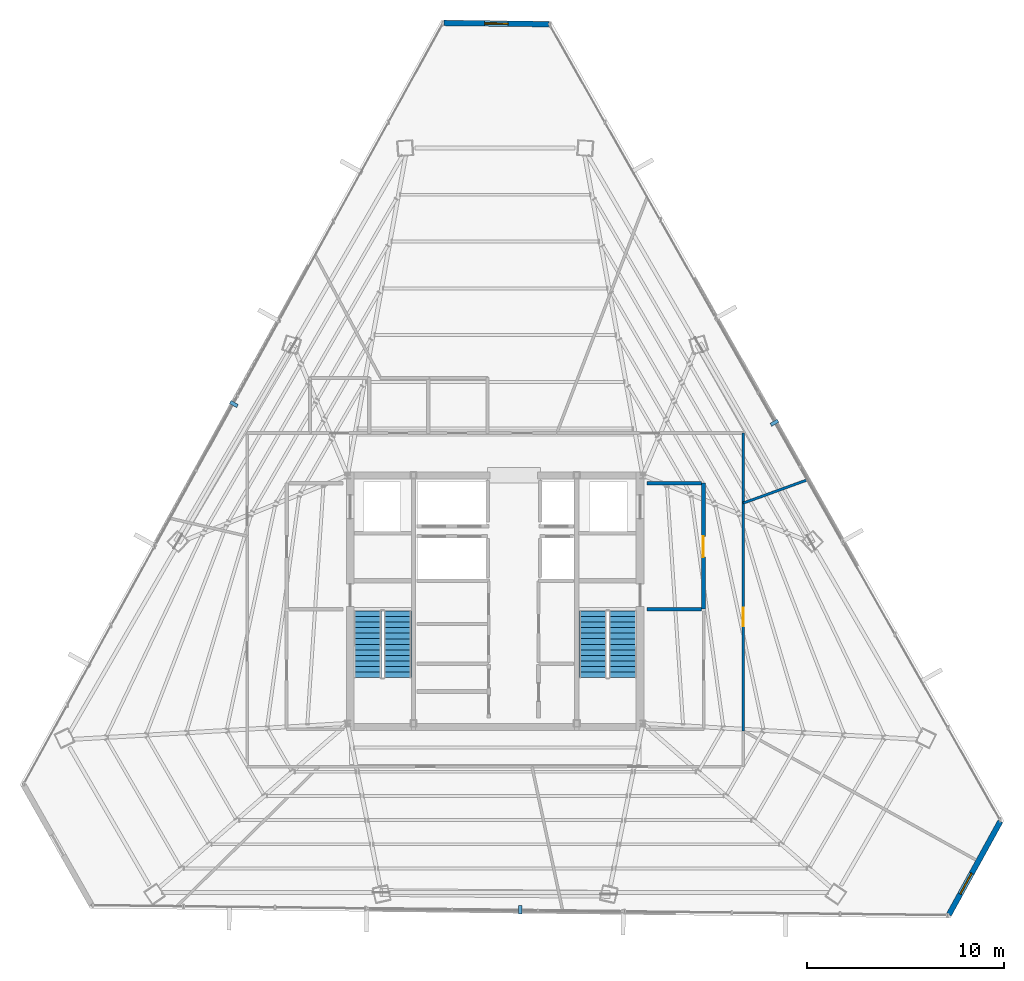
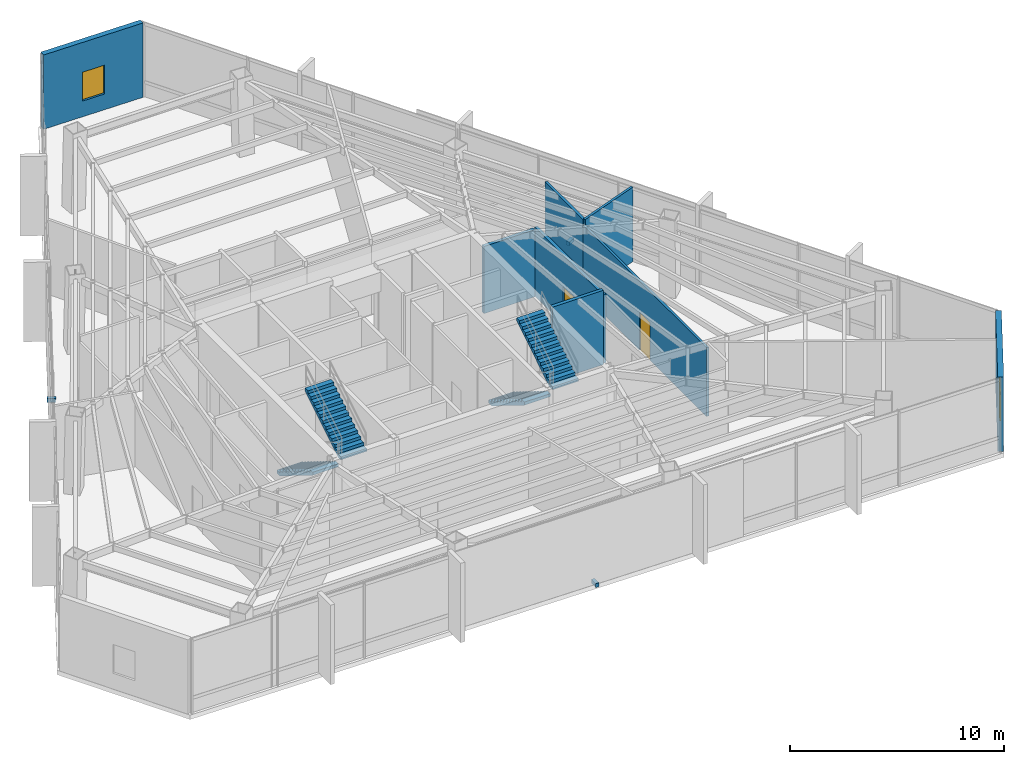
# One storey, part 35 of 37: 8 walls, 4 stair flights, 3 discrete accessories, 2 doors, 2 windows, 4 openings, 2 elements without a shape of their own.
"""IFC4 building model written with IfcOpenShell, lengths in metres."""

from ifc_helpers import new_model, si_unit, direction, frame, frame_2d, origin, origin_2d, place, context, subcontext, project, spatial, polyline, rectangle, outline, extrude, source, transform, mapped, material, layer, layer_set, type_object, type_shapes, element, fill, aggregate, save


model = new_model("IFC4")

# Units and contexts
model_context = context("Model", 3, precision=1e-05, world=origin(), true_north=direction((0.0, 1.0)))
body_context = subcontext(model_context, "Body", "Model", "MODEL_VIEW")
ifc_project = project(units=[si_unit("LENGTHUNIT", "METRE"), si_unit("AREAUNIT", "SQUARE_METRE"), si_unit("VOLUMEUNIT", "CUBIC_METRE"), si_unit("PLANEANGLEUNIT", "RADIAN"), si_unit("MASSUNIT", "GRAM", prefix="KILO")], contexts=[model_context])

# Site, building, storey
site_placement = place(None, origin())
site = spatial("IfcSite", under=ifc_project, at=site_placement, CompositionType="ELEMENT")
building_placement = place(site_placement, origin())
building = spatial("IfcBuilding", under=site, at=building_placement, Name="Caelisora Broadcast Tower", CompositionType="ELEMENT")
storey_placement = place(building_placement, frame((0.0, 0.0, 225.35009765625)))
storey = spatial("IfcBuildingStorey", under=building, at=storey_placement, Name="L59", CompositionType="ELEMENT", Elevation=225.35009765625)

# Wall, opening, window
ifc_material_1 = material(Name="Insulated Terracotta Spandrel Wall System", Category="masonry")
ifc_layer_1 = layer(ifc_material_1, 0.280029296875, Name="Insulated Terracotta Spandrel Wall System")
ifc_layer_set_1 = layer_set([ifc_layer_1], Name="Insulated Terracotta Spandrel Wall System")
wall_type_1 = type_object("IfcWallType", Name="EW1", PredefinedType="STANDARD", material=ifc_layer_set_1)
wall_1_placement = place(storey_placement, frame((63.658447265625, 12.4248046875, 0.0), z_axis=(0.0, 0.0, 1.0), x_axis=(-0.482785384163, -0.875738701233, 0.0)))
wall_1 = element("IfcWall", 1, at=wall_1_placement, inside=storey, type_object=wall_type_1, Name="L59 exterior envelope wall EW1", PredefinedType="STANDARD", context=body_context, shape_type="SweptSolid", body=[
    extrude(rectangle(XDim=5.41650390625, YDim=0.280029296875, at=frame_2d((2.708251953125, 0.0))), origin(), (0.0, 0.0, 1.0), 4.25),
])
opening_1_placement = place(wall_1_placement, frame((3.010009765625, 0.0, 0.89990234375)))
opening_1 = element("IfcOpeningElement", 2, at=opening_1_placement, cuts=wall_1, Name="Opening W03", PredefinedType="OPENING", context=body_context, shape_type="SweptSolid", body=[
    extrude(rectangle(XDim=1.199951171875, YDim=1.64990234375, at=frame_2d((0.60009765625, 0.824951171875))), frame((0.0, 0.152099609375, 0.0), z_axis=(0.0, -1.0, 0.0), x_axis=(1.0, 0.0, 0.0)), (0.0, 0.0, 1.0), 0.303955078125),
])
ifc_material_2 = material(Name="Double Glazed Corner Vision Window", Category="glass")
window_type = type_object("IfcWindowType", Name="W03", PartitioningType="SINGLE_PANEL", PredefinedType="WINDOW", material=ifc_material_2)
window_1_placement = place(opening_1_placement, origin())
window_1 = element("IfcWindow", 3, at=window_1_placement, inside=storey, type_object=window_type, Name="L59 window W03 (L59-WN-CH0)", OverallHeight=1.64990234375, OverallWidth=1.199951171875, PartitioningType="SINGLE_PANEL", PredefinedType="WINDOW", context=body_context, shape_type="SweptSolid", body=[
    extrude(rectangle(XDim=1.199951171875, YDim=1.64990234375, at=frame_2d((0.60009765625, 0.824951171875))), frame((0.0, 0.030029296875, 0.0), z_axis=(0.0, -1.0, 0.0), x_axis=(1.0, 0.0, 0.0)), (0.0, 0.0, 1.0), 0.06005859375),
])
fill(opening_1, window_1)

wall_2_placement = place(storey_placement, frame((35.389892578125, 52.978759765625, 0.0), z_axis=(0.0, 0.0, 1.0), x_axis=(0.999933438599, -0.011537693522, 0.0)))
wall_2 = element("IfcWall", 4, at=wall_2_placement, inside=storey, type_object=wall_type_1, Name="L59 exterior envelope wall EW1", PredefinedType="STANDARD", context=body_context, shape_type="SweptSolid", body=[
    extrude(rectangle(XDim=5.332275390625, YDim=0.280029296875, at=frame_2d((2.666015625, 0.0))), origin(), (0.0, 0.0, 1.0), 4.25),
])
opening_2_placement = place(wall_2_placement, frame((2.070068359375, 0.0, 0.89990234375)))
opening_2 = element("IfcOpeningElement", 5, at=opening_2_placement, cuts=wall_2, Name="Opening W03", PredefinedType="OPENING", context=body_context, shape_type="SweptSolid", body=[
    extrude(rectangle(XDim=1.199951171875, YDim=1.64990234375, at=frame_2d((0.60009765625, 0.824951171875))), frame((0.0, 0.152099609375, 0.0), z_axis=(0.0, -1.0, 0.0), x_axis=(1.0, 0.0, 0.0)), (0.0, 0.0, 1.0), 0.303955078125),
])
window_2_placement = place(opening_2_placement, origin())
window_2 = element("IfcWindow", 6, at=window_2_placement, inside=storey, type_object=window_type, Name="L59 window W03 (L59-WN-CH8)", OverallHeight=1.64990234375, OverallWidth=1.199951171875, PartitioningType="SINGLE_PANEL", PredefinedType="WINDOW", context=body_context, shape_type="SweptSolid", body=[
    extrude(rectangle(XDim=1.199951171875, YDim=1.64990234375, at=frame_2d((0.60009765625, 0.824951171875))), frame((0.0, 0.030029296875, 0.0), z_axis=(0.0, -1.0, 0.0), x_axis=(1.0, 0.0, 0.0)), (0.0, 0.0, 1.0), 0.06005859375),
])
fill(opening_2, window_2)

# Wall, opening, door
ifc_material_3 = material(Name="Fire-Rated Gypsum Shaft and Compartment Wall", Category="gypsum")
ifc_layer_2 = layer(ifc_material_3, 0.179931640625, Name="Fire-Rated Gypsum Shaft and Compartment Wall")
ifc_layer_set_2 = layer_set([ifc_layer_2], Name="Fire-Rated Gypsum Shaft and Compartment Wall")
wall_type_2 = type_object("IfcWallType", Name="PW2", PredefinedType="PARTITIONING", material=ifc_layer_set_2)
wall_3_placement = place(storey_placement, frame((48.580078125, 23.199951171875, 0.0), z_axis=(0.0, 0.0, 1.0), x_axis=(0.0, 1.0, 0.0)))
wall_3 = element("IfcWall", 7, at=wall_3_placement, inside=storey, type_object=wall_type_2, Name="L59 fire compartment wall PW2", PredefinedType="PARTITIONING", context=body_context, shape_type="SweptSolid", body=[
    extrude(rectangle(XDim=6.400146484375, YDim=0.179931640625, at=frame_2d((3.2001953125, 0.0))), origin(), (0.0, 0.0, 1.0), 3.934814453125),
])
opening_3_placement = place(wall_3_placement, frame((2.64990234375, 0.0, 0.0)))
opening_3 = element("IfcOpeningElement", 8, at=opening_3_placement, cuts=wall_3, Name="Opening FD02", PredefinedType="OPENING", context=body_context, shape_type="SweptSolid", body=[
    extrude(rectangle(XDim=1.050048828125, YDim=2.14990234375, at=frame_2d((0.52490234375, 1.074951171875))), frame((0.0, 0.10205078125, 0.0), z_axis=(0.0, -1.0, 0.0), x_axis=(1.0, 0.0, 0.0)), (0.0, 0.0, 1.0), 0.203857421875),
])
ifc_material_4 = material(Name="Single-Leaf Steel Fire Lobby Door", Category="steel")
door_type_1 = type_object("IfcDoorType", Name="FD02", OperationType="NOTDEFINED", PredefinedType="DOOR", material=ifc_material_4)
door_1_placement = place(opening_3_placement, origin())
door_1 = element("IfcDoor", 9, at=door_1_placement, inside=storey, type_object=door_type_1, Name="L59 door FD02 (L59-DR-P04D1)", OperationType="SINGLE_SWING_RIGHT", OverallHeight=2.14990234375, OverallWidth=1.050048828125, PredefinedType="DOOR", context=body_context, shape_type="SweptSolid", body=[
    extrude(rectangle(XDim=1.050048828125, YDim=2.14990234375, at=frame_2d((0.52490234375, 1.074951171875))), frame((0.0, 0.02490234375, 0.0), z_axis=(0.0, -1.0, 0.0), x_axis=(1.0, 0.0, 0.0)), (0.0, 0.0, 1.0), 0.050048828125),
])
fill(opening_3, door_1)

# Walls
wall_4_placement = place(storey_placement, frame((45.719970703125, 23.199951171875, 0.0), z_axis=(0.0, 0.0, 1.0), x_axis=(1.0, 0.0, 0.0)))
element("IfcWall", 10, at=wall_4_placement, inside=storey, type_object=wall_type_2, Name="L59 fire compartment wall PW2", PredefinedType="PARTITIONING", context=body_context, shape_type="SweptSolid", body=[
    extrude(rectangle(XDim=2.760009765625, YDim=0.179931640625, at=frame_2d((1.3798828125, 0.0))), origin(), (0.0, 0.0, 1.0), 4.25),
])
wall_5_placement = place(storey_placement, frame((45.719970703125, 29.60009765625, 0.0), z_axis=(0.0, 0.0, 1.0), x_axis=(1.0, 0.0, 0.0)))
element("IfcWall", 11, at=wall_5_placement, inside=storey, type_object=wall_type_2, Name="L59 fire compartment wall PW2", PredefinedType="PARTITIONING", context=body_context, shape_type="SweptSolid", body=[
    extrude(rectangle(XDim=2.760009765625, YDim=0.179931640625, at=frame_2d((1.3798828125, 0.0))), origin(), (0.0, 0.0, 1.0), 3.8349609375),
])

# Wall, opening, door
ifc_material_5 = material(Name="Acoustic Steel-Stud Plasterboard Partition", Category="gypsum")
ifc_layer_3 = layer(ifc_material_5, 0.1298828125, Name="Acoustic Steel-Stud Plasterboard Partition")
ifc_layer_set_3 = layer_set([ifc_layer_3], Name="Acoustic Steel-Stud Plasterboard Partition")
wall_type_3 = type_object("IfcWallType", Name="PW3", PredefinedType="PARTITIONING", material=ifc_layer_set_3)
wall_6_placement = place(storey_placement, frame((50.60009765625, 17.02490234375, 0.0), z_axis=(0.0, 0.0, 1.0), x_axis=(0.0, 1.0, 0.0)))
wall_6 = element("IfcWall", 12, at=wall_6_placement, inside=storey, type_object=wall_type_3, Name="L59 internal partition PW3", PredefinedType="PARTITIONING", context=body_context, shape_type="SweptSolid", body=[
    extrude(rectangle(XDim=11.56005859375, YDim=0.1298828125, at=frame_2d((5.780029296875, 0.0))), origin(), (0.0, 0.0, 1.0), 3.934814453125),
])
opening_4_placement = place(wall_6_placement, frame((5.300048828125, 0.0, 0.0)))
opening_4 = element("IfcOpeningElement", 13, at=opening_4_placement, cuts=wall_6, Name="Opening D01", PredefinedType="OPENING", context=body_context, shape_type="SweptSolid", body=[
    extrude(rectangle(XDim=0.9599609375, YDim=2.14990234375, at=frame_2d((0.47998046875, 1.074951171875))), frame((0.0, 0.076904296875, 0.0), z_axis=(0.0, -1.0, 0.0), x_axis=(1.0, 0.0, 0.0)), (0.0, 0.0, 1.0), 0.15380859375),
])
ifc_material_6 = material(Name="Solid-Core Timber Acoustic Office Door", Category="wood")
door_type_2 = type_object("IfcDoorType", Name="D01", OperationType="NOTDEFINED", PredefinedType="DOOR", material=ifc_material_6)
door_2_placement = place(opening_4_placement, origin())
door_2 = element("IfcDoor", 14, at=door_2_placement, inside=storey, type_object=door_type_2, Name="L59 door D01 (L59-DR-P31D1)", OperationType="SINGLE_SWING_LEFT", OverallHeight=2.14990234375, OverallWidth=0.9599609375, PredefinedType="DOOR", context=body_context, shape_type="SweptSolid", body=[
    extrude(rectangle(XDim=0.9599609375, YDim=2.14990234375, at=frame_2d((0.47998046875, 1.074951171875))), frame((0.0, 0.02490234375, 0.0), z_axis=(0.0, -1.0, 0.0), x_axis=(1.0, 0.0, 0.0)), (0.0, 0.0, 1.0), 0.050048828125),
])
fill(opening_4, door_2)

# Walls
wall_7_placement = place(storey_placement, frame((50.60498046875, 28.592041015625, 0.0), z_axis=(0.0, 0.0, 1.0), x_axis=(0.939990535408, 0.341200517794, 0.0)))
element("IfcWall", 15, at=wall_7_placement, inside=storey, type_object=wall_type_3, Name="L59 internal partition PW3", PredefinedType="PARTITIONING", context=body_context, shape_type="SweptSolid", body=[
    extrude(rectangle(XDim=3.468994140625, YDim=0.1298828125, at=frame_2d((1.734375, 0.0))), origin(), (0.0, 0.0, 1.0), 4.25),
])
wall_8_placement = place(storey_placement, frame((50.60009765625, 28.594970703125, 0.0), z_axis=(0.0, 0.0, 1.0), x_axis=(0.0, 1.0, 0.0)))
element("IfcWall", 16, at=wall_8_placement, inside=storey, type_object=wall_type_3, Name="L59 internal partition PW3", PredefinedType="PARTITIONING", context=body_context, shape_type="SweptSolid", body=[
    extrude(rectangle(XDim=3.550048828125, YDim=0.1298828125, at=frame_2d((1.77490234375, 0.0))), origin(), (0.0, 0.0, 1.0), 4.25),
])

# Stair, stair flights
ifc_material_7 = material(Name="Concrete 40 MPa (AS 3600 N40)", Category="concrete")
stair_type_1 = type_object("IfcStairType", Name="ST-1", PredefinedType="HALF_TURN_STAIR", material=ifc_material_7)
stair_1_placement = place(storey_placement, origin())
stair_1 = element("IfcStair", 17, at=stair_1_placement, inside=storey, type_object=stair_type_1, Name="L59 West Fire-Isolated Tower Stair", PredefinedType="HALF_TURN_STAIR")
stair_flight_type = type_object("IfcStairFlightType", Name="STF-3", PredefinedType="STRAIGHT", material=ifc_material_7)
stair_flight_1_placement = place(storey_placement, frame((31.52001953125, 23.10009765625, 0.0), z_axis=(0.0, 0.0, 1.0), x_axis=(0.0, -1.0, 0.0)))
stair_flight_1 = element("IfcStairFlight", 18, at=stair_flight_1_placement, type_object=stair_flight_type, Name="ST-1 flight 1", NumberOfRisers=13, NumberOfTreads=12, PredefinedType="STRAIGHT", RiserHeight=0.173076923, TreadLength=0.28, context=body_context, shape_type="SweptSolid", body=[
    extrude(outline(polyline([(0.0, 0.0), (0.0, 0.173095703125), (0.280029296875, 0.173095703125), (0.280029296875, 0.34619140625), (0.56005859375, 0.34619140625), (0.56005859375, 0.519287109375), (0.840087890625, 0.519287109375), (0.840087890625, 0.6923828125), (1.1201171875, 0.6923828125), (1.1201171875, 0.865478515625), (1.39990234375, 0.865478515625), (1.39990234375, 1.03857421875), (1.679931640625, 1.03857421875), (1.679931640625, 1.21142578125), (1.9599609375, 1.21142578125), (1.9599609375, 1.384521484375), (2.239990234375, 1.384521484375), (2.239990234375, 1.5576171875), (2.52001953125, 1.5576171875), (2.52001953125, 1.730712890625), (2.800048828125, 1.730712890625), (2.800048828125, 1.90380859375), (3.080078125, 1.90380859375), (3.080078125, 2.076904296875), (3.360107421875, 2.076904296875), (3.360107421875, 2.25), (3.360107421875, 1.900634765625), (0.28515625, 0.0), (0.0, 0.0)])), frame((0.0, 0.699951171875, 0.0), z_axis=(0.0, -1.0, 0.0), x_axis=(1.0, 0.0, 0.0)), (0.0, 0.0, 1.0), 1.39990234375),
])
stair_flight_2_placement = place(storey_placement, frame((33.0400390625, 19.739990234375, 2.25), z_axis=(0.0, 0.0, 1.0), x_axis=(0.0, 1.0, 0.0)))
stair_flight_2 = element("IfcStairFlight", 19, at=stair_flight_2_placement, type_object=stair_flight_type, Name="ST-1 flight 2", NumberOfRisers=13, NumberOfTreads=12, PredefinedType="STRAIGHT", RiserHeight=0.173076923, TreadLength=0.28, context=body_context, shape_type="SweptSolid", body=[
    extrude(outline(polyline([(0.0, 0.0), (0.0, 0.173095703125), (0.280029296875, 0.173095703125), (0.280029296875, 0.34619140625), (0.56005859375, 0.34619140625), (0.56005859375, 0.519287109375), (0.840087890625, 0.519287109375), (0.840087890625, 0.6923828125), (1.1201171875, 0.6923828125), (1.1201171875, 0.865478515625), (1.39990234375, 0.865478515625), (1.39990234375, 1.03857421875), (1.679931640625, 1.03857421875), (1.679931640625, 1.21142578125), (1.9599609375, 1.21142578125), (1.9599609375, 1.384521484375), (2.239990234375, 1.384521484375), (2.239990234375, 1.5576171875), (2.52001953125, 1.5576171875), (2.52001953125, 1.730712890625), (2.800048828125, 1.730712890625), (2.800048828125, 1.90380859375), (3.080078125, 1.90380859375), (3.080078125, 2.076904296875), (3.360107421875, 2.076904296875), (3.360107421875, 2.25), (3.360107421875, 1.900634765625), (0.28515625, 0.0), (0.0, 0.0)])), frame((0.0, 0.699951171875, 0.0), z_axis=(0.0, -1.0, 0.0), x_axis=(1.0, 0.0, 0.0)), (0.0, 0.0, 1.0), 1.39990234375),
])
aggregate(stair_1, [stair_flight_1, stair_flight_2])

stair_type_2 = type_object("IfcStairType", Name="ST-2", PredefinedType="HALF_TURN_STAIR", material=ifc_material_7)
stair_2_placement = place(storey_placement, origin())
stair_2 = element("IfcStair", 20, at=stair_2_placement, inside=storey, type_object=stair_type_2, Name="L59 East Fire-Isolated Tower Stair", PredefinedType="HALF_TURN_STAIR")
stair_flight_3_placement = place(storey_placement, frame((42.9599609375, 23.10009765625, 0.0), z_axis=(0.0, 0.0, 1.0), x_axis=(0.0, -1.0, 0.0)))
stair_flight_3 = element("IfcStairFlight", 21, at=stair_flight_3_placement, type_object=stair_flight_type, Name="ST-2 flight 1", NumberOfRisers=13, NumberOfTreads=12, PredefinedType="STRAIGHT", RiserHeight=0.173076923, TreadLength=0.28, context=body_context, shape_type="SweptSolid", body=[
    extrude(outline(polyline([(0.0, 0.0), (0.0, 0.173095703125), (0.280029296875, 0.173095703125), (0.280029296875, 0.34619140625), (0.56005859375, 0.34619140625), (0.56005859375, 0.519287109375), (0.840087890625, 0.519287109375), (0.840087890625, 0.6923828125), (1.1201171875, 0.6923828125), (1.1201171875, 0.865478515625), (1.39990234375, 0.865478515625), (1.39990234375, 1.03857421875), (1.679931640625, 1.03857421875), (1.679931640625, 1.21142578125), (1.9599609375, 1.21142578125), (1.9599609375, 1.384521484375), (2.239990234375, 1.384521484375), (2.239990234375, 1.5576171875), (2.52001953125, 1.5576171875), (2.52001953125, 1.730712890625), (2.800048828125, 1.730712890625), (2.800048828125, 1.90380859375), (3.080078125, 1.90380859375), (3.080078125, 2.076904296875), (3.360107421875, 2.076904296875), (3.360107421875, 2.25), (3.360107421875, 1.900634765625), (0.28515625, 0.0), (0.0, 0.0)])), frame((0.0, 0.699951171875, 0.0), z_axis=(0.0, -1.0, 0.0), x_axis=(1.0, 0.0, 0.0)), (0.0, 0.0, 1.0), 1.39990234375),
])
stair_flight_4_placement = place(storey_placement, frame((44.47998046875, 19.739990234375, 2.25), z_axis=(0.0, 0.0, 1.0), x_axis=(0.0, 1.0, 0.0)))
stair_flight_4 = element("IfcStairFlight", 22, at=stair_flight_4_placement, type_object=stair_flight_type, Name="ST-2 flight 2", NumberOfRisers=13, NumberOfTreads=12, PredefinedType="STRAIGHT", RiserHeight=0.173076923, TreadLength=0.28, context=body_context, shape_type="SweptSolid", body=[
    extrude(outline(polyline([(0.0, 0.0), (0.0, 0.173095703125), (0.280029296875, 0.173095703125), (0.280029296875, 0.34619140625), (0.56005859375, 0.34619140625), (0.56005859375, 0.519287109375), (0.840087890625, 0.519287109375), (0.840087890625, 0.6923828125), (1.1201171875, 0.6923828125), (1.1201171875, 0.865478515625), (1.39990234375, 0.865478515625), (1.39990234375, 1.03857421875), (1.679931640625, 1.03857421875), (1.679931640625, 1.21142578125), (1.9599609375, 1.21142578125), (1.9599609375, 1.384521484375), (2.239990234375, 1.384521484375), (2.239990234375, 1.5576171875), (2.52001953125, 1.5576171875), (2.52001953125, 1.730712890625), (2.800048828125, 1.730712890625), (2.800048828125, 1.90380859375), (3.080078125, 1.90380859375), (3.080078125, 2.076904296875), (3.360107421875, 2.076904296875), (3.360107421875, 2.25), (3.360107421875, 1.900634765625), (0.28515625, 0.0), (0.0, 0.0)])), frame((0.0, 0.699951171875, 0.0), z_axis=(0.0, -1.0, 0.0), x_axis=(1.0, 0.0, 0.0)), (0.0, 0.0, 1.0), 1.39990234375),
])
aggregate(stair_2, [stair_flight_3, stair_flight_4])

# Discrete accessories
ifc_material_8 = material(Name="Steel Grade 350 (AS/NZS 3679.1)", Category="steel")
discrete_accessory_type = type_object("IfcDiscreteAccessoryType", Name="BRK-1", PredefinedType="BRACKET", material=ifc_material_8)
shared_shape = source(origin(), body_context, "Body", "SweptSolid", [
    extrude(rectangle(XDim=0.179931640625, YDim=0.419921875, at=origin_2d()), origin(), (0.0, 0.0, 1.0), 0.219970703125),
])
type_shapes(discrete_accessory_type, [shared_shape])
for number, where, z_axis, x_axis, name in (
    (23, (24.724609375, 33.623046875, -0.16015625), (0.0, 0.0, 1.0), (-0.482823924874, -0.875717453046, 0.0), "L59 solar screen outrigger bracket #1"),
    (24, (39.27001953125, 7.9375, -0.16015625), (0.0, 0.0, 1.0), (0.99993365506, -0.011518918316, 0.0), "L59 solar screen outrigger bracket #2"),
    (25, (52.185791015625, 32.67041015625, -0.16015625), (0.0, 0.0, 1.0), (-0.492879209759, 0.870097744272, 0.0), "L59 solar screen outrigger bracket #3"),
):
    element("IfcDiscreteAccessory", number, at=place(storey_placement, frame(where, z_axis=z_axis, x_axis=x_axis)), inside=storey, type_object=discrete_accessory_type, Name=name, PredefinedType="BRACKET", context=body_context, shape_type="MappedRepresentation", body=[
        mapped(shared_shape, transform((0.0, 0.0, 0.0), scale=1.0)),
    ])

save(model, "model.ifc")
